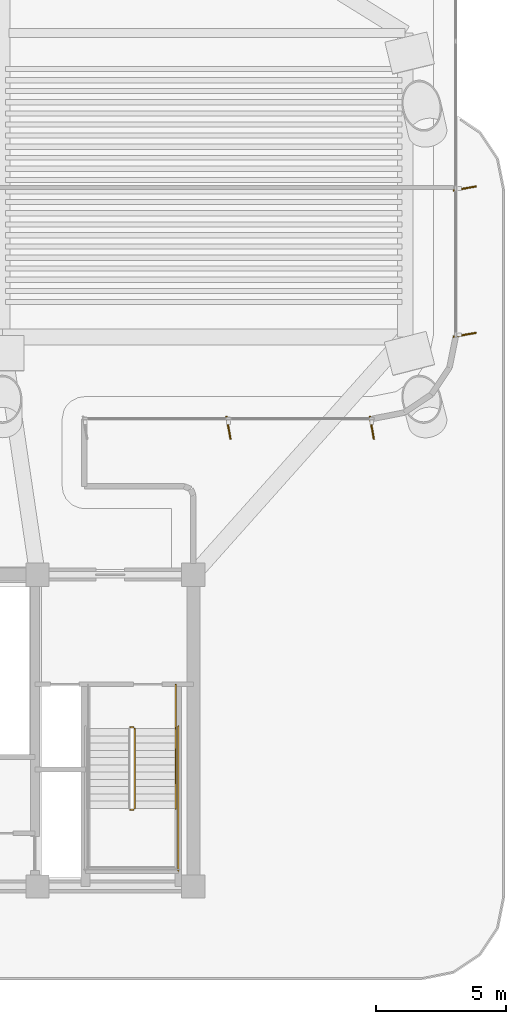
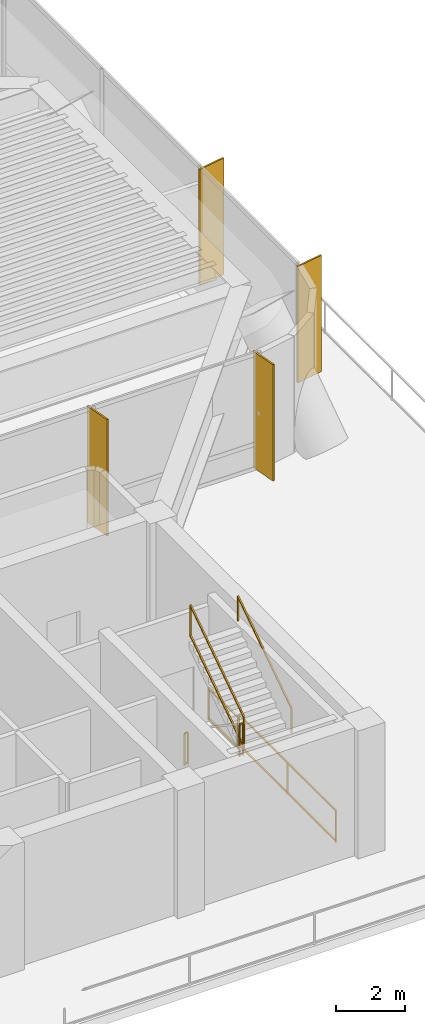
# One storey, part 13 of 14: 6 railings, 4 shading devices.
"""IFC4 building model written with IfcOpenShell, lengths in metres."""

from ifc_helpers import new_model, si_unit, direction, frame, origin, origin_2d, place, context, subcontext, project, spatial, rectangle, extrude, source, transform, mapped, material, layer, layer_set, material_profile, profile_set, type_object, element, save


model = new_model("IFC4")

# Units and contexts
model_context = context("Model", 3, precision=1e-05, world=origin(), true_north=direction((0.0, 1.0)))
body_context = subcontext(model_context, "Body", "Model", "MODEL_VIEW")
ifc_project = project(units=[si_unit("LENGTHUNIT", "METRE"), si_unit("AREAUNIT", "SQUARE_METRE"), si_unit("VOLUMEUNIT", "CUBIC_METRE"), si_unit("PLANEANGLEUNIT", "RADIAN"), si_unit("MASSUNIT", "GRAM", prefix="KILO")], contexts=[model_context])

# Site, building, storey
site_placement = place(None, origin())
site = spatial("IfcSite", under=ifc_project, at=site_placement, CompositionType="ELEMENT")
building_placement = place(site_placement, origin())
building = spatial("IfcBuilding", under=site, at=building_placement, Name="Brelvock Crest Care Tower", CompositionType="ELEMENT")
storey_placement = place(building_placement, frame((0.0, 0.0, 85.320068359375)))
storey = spatial("IfcBuildingStorey", under=building, at=storey_placement, Name="L21", CompositionType="ELEMENT", Elevation=85.320068359375)

# Railings
ifc_material_1 = material(Name="Steel Grade 350", Category="steel")
ifc_layer_1 = layer(ifc_material_1, 0.050048828125, Name="RL-STG1")
ifc_layer_set_1 = layer_set([ifc_layer_1], Name="Steel Grade 350")
railing_type_1 = type_object("IfcRailingType", Name="RL-STG1", PredefinedType="GUARDRAIL", material=ifc_layer_set_1)
railing_1_placement = place(storey_placement, frame((45.570068359375, 8.949951171875, 2.25)))
element("IfcRailing", 1, at=railing_1_placement, inside=storey, type_object=railing_type_1, Name="L21 ST-2 stair guard 2", PredefinedType="GUARDRAIL", context=body_context, shape_type="SweptSolid", body=[
    extrude(rectangle(XDim=0.048095703125, YDim=0.048095703125, at=origin_2d()), frame((0.001953125, 0.0, 1.11572265625), z_axis=(1.0, 0.0, 0.0), x_axis=(0.0, 1.0, 0.0)), (0.0, 0.0, 1.0), 0.115966796875),
    extrude(rectangle(XDim=0.048095703125, YDim=0.048095703125, at=origin_2d()), frame((0.001953125, 0.0, 0.054931640625), z_axis=(1.0, 0.0, 0.0), x_axis=(0.0, 1.0, 0.0)), (0.0, 0.0, 1.0), 0.115966796875),
    extrude(rectangle(XDim=0.0419921875, YDim=0.0419921875, at=origin_2d()), origin(), (0.0, 0.0, 1.0), 1.08984375),
    extrude(rectangle(XDim=0.0419921875, YDim=0.0419921875, at=origin_2d()), frame((0.119873046875, 0.0, 0.0)), (0.0, 0.0, 1.0), 1.08984375),
])
railing_2_placement = place(storey_placement, frame((45.739990234375, 9.0, 2.4375)))
element("IfcRailing", 2, at=railing_2_placement, inside=storey, type_object=railing_type_1, Name="L21 ST-2 stair guard 6", PredefinedType="GUARDRAIL", context=body_context, shape_type="SweptSolid", body=[
    extrude(rectangle(XDim=0.048095703125, YDim=0.048095703125, at=origin_2d()), frame((0.0, 0.001708984375, 1.116943359375), z_axis=(0.0, 0.830913701846, 0.55640131208), x_axis=(-1.0, 0.0, 0.0)), (0.0, 0.0, 1.0), 3.702880859375),
    extrude(rectangle(XDim=0.048095703125, YDim=0.048095703125, at=origin_2d()), frame((0.0, 0.001708984375, 0.05615234375), z_axis=(0.0, 0.830913701846, 0.55640131208), x_axis=(-1.0, 0.0, 0.0)), (0.0, 0.0, 1.0), 3.702880859375),
    extrude(rectangle(XDim=0.0419921875, YDim=0.0419921875, at=origin_2d()), origin(), (0.0, 0.0, 1.0), 1.08984375),
    extrude(rectangle(XDim=0.0419921875, YDim=0.0419921875, at=origin_2d()), frame((0.0, 3.080078125, 2.0625)), (0.0, 0.0, 1.0), 1.08984375),
])
railing_3_placement = place(storey_placement, frame((45.570068359375, 12.1298828125, 0.0)))
element("IfcRailing", 3, at=railing_3_placement, inside=storey, type_object=railing_type_1, Name="L21 ST-2 stair guard 7", PredefinedType="GUARDRAIL", context=body_context, shape_type="SweptSolid", body=[
    extrude(rectangle(XDim=0.048095703125, YDim=0.048095703125, at=origin_2d()), frame((0.001953125, 0.0, 1.11572265625), z_axis=(1.0, 0.0, 0.0), x_axis=(0.0, 1.0, 0.0)), (0.0, 0.0, 1.0), 0.115966796875),
    extrude(rectangle(XDim=0.048095703125, YDim=0.048095703125, at=origin_2d()), frame((0.001953125, 0.0, 0.054931640625), z_axis=(1.0, 0.0, 0.0), x_axis=(0.0, 1.0, 0.0)), (0.0, 0.0, 1.0), 0.115966796875),
    extrude(rectangle(XDim=0.0419921875, YDim=0.0419921875, at=origin_2d()), origin(), (0.0, 0.0, 1.0), 1.08984375),
    extrude(rectangle(XDim=0.0419921875, YDim=0.0419921875, at=origin_2d()), frame((0.119873046875, 0.0, 0.0)), (0.0, 0.0, 1.0), 1.08984375),
])
railing_4_placement = place(storey_placement, frame((47.320068359375, 13.780029296875, 0.0)))
element("IfcRailing", 4, at=railing_4_placement, inside=storey, type_object=railing_type_1, Name="L21 ST-2 stair guard 9", PredefinedType="GUARDRAIL", context=body_context, shape_type="SweptSolid", body=[
    extrude(rectangle(XDim=0.048095703125, YDim=0.048095703125, at=origin_2d()), frame((0.0, -0.001953125, 1.11572265625), z_axis=(0.0, -1.0, 0.0), x_axis=(1.0, 0.0, 0.0)), (0.0, 0.0, 1.0), 1.696044921875),
    extrude(rectangle(XDim=0.048095703125, YDim=0.048095703125, at=origin_2d()), frame((0.0, -0.001953125, 0.054931640625), z_axis=(0.0, -1.0, 0.0), x_axis=(1.0, 0.0, 0.0)), (0.0, 0.0, 1.0), 1.696044921875),
    extrude(rectangle(XDim=0.0419921875, YDim=0.0419921875, at=origin_2d()), origin(), (0.0, 0.0, 1.0), 1.08984375),
    extrude(rectangle(XDim=0.0419921875, YDim=0.0419921875, at=origin_2d()), frame((0.0, -1.699951171875, 0.0)), (0.0, 0.0, 1.0), 1.08984375),
])
railing_5_placement = place(storey_placement, frame((47.419921875, 12.179931640625, 0.0)))
element("IfcRailing", 5, at=railing_5_placement, inside=storey, type_object=railing_type_1, Name="L21 ST-2 stair guard 11", PredefinedType="GUARDRAIL", context=body_context, shape_type="SweptSolid", body=[
    extrude(rectangle(XDim=0.048095703125, YDim=0.048095703125, at=origin_2d()), frame((0.0, -0.001953125, 1.11572265625), z_axis=(0.0, -1.0, 0.0), x_axis=(1.0, 0.0, 0.0)), (0.0, 0.0, 1.0), 5.575927734375),
    extrude(rectangle(XDim=0.048095703125, YDim=0.048095703125, at=origin_2d()), frame((0.0, -0.001953125, 0.054931640625), z_axis=(0.0, -1.0, 0.0), x_axis=(1.0, 0.0, 0.0)), (0.0, 0.0, 1.0), 5.575927734375),
    extrude(rectangle(XDim=0.0419921875, YDim=0.0419921875, at=origin_2d()), origin(), (0.0, 0.0, 1.0), 1.08984375),
    extrude(rectangle(XDim=0.0419921875, YDim=0.0419921875, at=origin_2d()), frame((0.0, -2.7900390625, 0.0)), (0.0, 0.0, 1.0), 1.08984375),
    extrude(rectangle(XDim=0.0419921875, YDim=0.0419921875, at=origin_2d()), frame((0.0, -5.579833984375, 0.0)), (0.0, 0.0, 1.0), 1.08984375),
])
ifc_layer_2 = layer(ifc_material_1, 0.048095703125, Name="RL-STH1")
ifc_layer_set_2 = layer_set([ifc_layer_2], Name="Steel Grade 350")
railing_type_2 = type_object("IfcRailingType", Name="RL-STH1", PredefinedType="HANDRAIL", material=ifc_layer_set_2)
railing_6_placement = place(storey_placement, frame((47.320068359375, 9.0, 2.4375)))
element("IfcRailing", 6, at=railing_6_placement, inside=storey, type_object=railing_type_2, Name="L21 ST-2 stair handrail 2", PredefinedType="HANDRAIL", context=body_context, shape_type="SweptSolid", body=[
    extrude(rectangle(XDim=0.048095703125, YDim=0.048095703125, at=origin_2d()), frame((0.0, 0.001708984375, 0.876953125), z_axis=(0.0, 0.830913701846, 0.55640131208), x_axis=(-1.0, 0.0, 0.0)), (0.0, 0.0, 1.0), 3.702880859375),
    extrude(rectangle(XDim=0.0419921875, YDim=0.0419921875, at=origin_2d()), origin(), (0.0, 0.0, 1.0), 0.849853515625),
    extrude(rectangle(XDim=0.0419921875, YDim=0.0419921875, at=origin_2d()), frame((0.0, 3.080078125, 2.0625)), (0.0, 0.0, 1.0), 0.849853515625),
])

# Shading devices
ifc_material_2 = material(Name="Aluminium 6063-T6", Category="aluminium")
ifc_material_profile = material_profile(ifc_material_2, rectangle(XDim=0.054931640625, YDim=0.89990234375, at=origin_2d()), Name="FIN55x900")
ifc_profile_set = profile_set([ifc_material_profile], Name="Aluminium 6063-T6")
shading_device_type = type_object("IfcShadingDeviceType", Name="SHD-FIN1", PredefinedType="USERDEFINED", material=ifc_profile_set)
shared_shape = source(origin(), body_context, "Body", "SweptSolid", [
    extrude(rectangle(XDim=0.054931640625, YDim=0.89990234375, at=origin_2d()), origin(), (0.0, 0.0, 1.0), 4.092041015625),
])
for number, where, z_axis, x_axis, name in (
    (7, (58.43994140625, 32.86669921875, 0.0), (0.0, 0.0, 1.0), (0.173648177667, -0.984807753012, 0.0), "L21 Vertical Sunshade Fin E39-03"),
    (8, (58.43994140625, 27.232421875, 0.0), (0.0, 0.0, 1.0), (0.173648177667, -0.984807753012, 0.0), "L21 Vertical Sunshade Fin E39-04"),
    (9, (54.867431640625, 23.659912109375, 0.0), (0.0, 0.0, 1.0), (-0.984807753012, -0.173648177667, 0.0), "L21 Vertical Sunshade Fin E44-01"),
    (10, (49.35009765625, 23.659912109375, 0.0), (0.0, 0.0, 1.0), (-0.984807753012, -0.173648177667, 0.0), "L21 Vertical Sunshade Fin E44-02"),
):
    element("IfcShadingDevice", number, at=place(storey_placement, frame(where, z_axis=z_axis, x_axis=x_axis)), inside=storey, type_object=shading_device_type, Name=name, ObjectType="FIN", PredefinedType="USERDEFINED", context=body_context, shape_type="MappedRepresentation", body=[
        mapped(shared_shape, transform((0.0, 0.0, 0.0), x_axis=(1.0, 0.0, 0.0), y_axis=(0.0, 1.0, 0.0), z_axis=(0.0, 0.0, 1.0), scale=1.0)),
    ])

save(model, "model.ifc")
